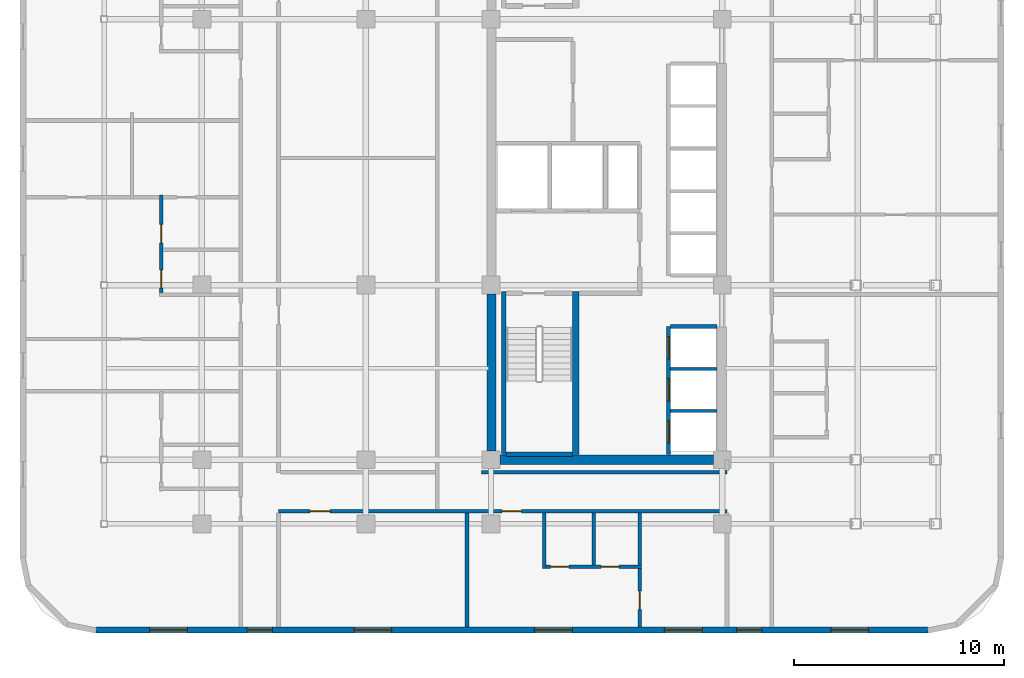
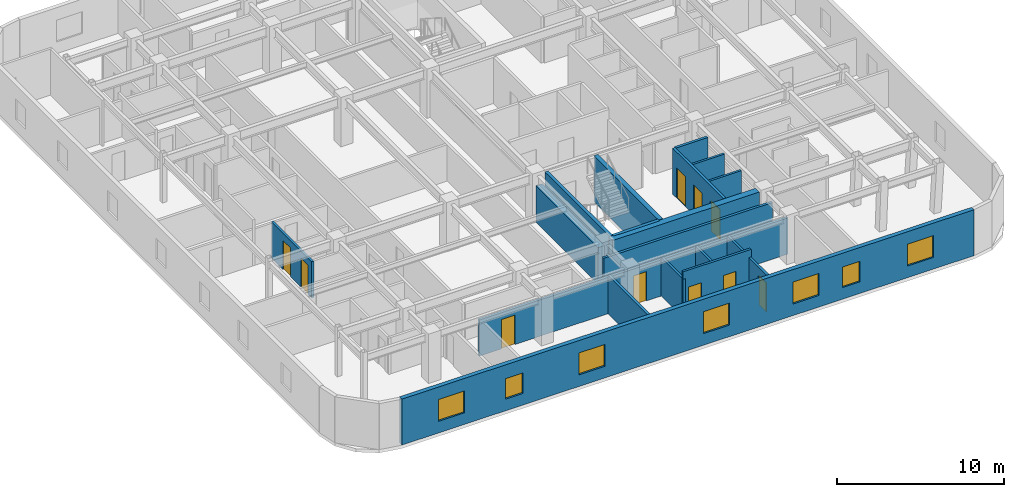
# One storey, part 6 of 12: 18 walls, 10 doors, 7 windows, 17 openings.
"""IFC4 building model written with IfcOpenShell, lengths in metres."""

import ifcopenshell
import ifcopenshell.guid

model = None  # the IFC model being written
_history = None  # IfcOwnerHistory: only IFC2X3 demands one
_inside = {}  # id of a spatial element -> (the spatial element, [elements in it])
_under = {}  # id of a project, library or spatial element -> (it, [spatial elements below it])
_declared = {}  # id of a project -> (the project, [libraries it declares])
_typed = {}  # id of a type object -> (the type object, [elements of that type])
_made_of = {}  # id of a material, layer set ... -> (it, [elements and type objects made of it])


def new_model(schema):
    """Start an empty IFC model of exactly this schema.

    Asked for "IFC4X3", IfcOpenShell would pick the latest addendum, in which some entities
    have other attributes; the version numbers below select the first issue.
    IFC2X3 requires an IfcOwnerHistory on every rooted entity: one is made here for all.
    """
    global model, _history
    if schema == "IFC4X3":
        model = ifcopenshell.file(schema_version=(4, 3, 0, 0))
    else:
        model = ifcopenshell.file(schema=schema)
    _inside.clear()
    _under.clear()
    _declared.clear()
    _typed.clear()
    _made_of.clear()
    _history = None
    if model.schema == "IFC2X3":
        org = make("IfcOrganization", Name="unknown")
        user = make(
            "IfcPersonAndOrganization",
            ThePerson=make("IfcPerson", FamilyName="unknown"),
            TheOrganization=org,
        )
        app = make(
            "IfcApplication",
            ApplicationDeveloper=org,
            Version="unknown",
            ApplicationFullName="unknown",
            ApplicationIdentifier="unknown",
        )
        _history = make(
            "IfcOwnerHistory",
            OwningUser=user,
            OwningApplication=app,
            ChangeAction="ADDED",
            CreationDate=0,
        )
    return model


def make(cls, **values):
    """One entity of the class cls with the attributes given. An attribute that is None is left unset."""
    return model.create_entity(
        cls, **{name: value for name, value in values.items() if value is not None}
    )


def rooted(cls, **values):
    """An entity with a GlobalId (a new one), such as an element, a storey or a relation."""
    return make(cls, GlobalId=ifcopenshell.guid.new(), OwnerHistory=_history, **values)


def si_unit(unit_type, name, prefix=None):
    """IfcSIUnit, for example si_unit("LENGTHUNIT", "METRE", prefix="MILLI")."""
    return make("IfcSIUnit", UnitType=unit_type, Prefix=prefix, Name=name)


def assignment(units):
    """IfcUnitAssignment: the units of a project."""
    return None if units is None else make("IfcUnitAssignment", Units=units)


def point(xyz):
    """IfcCartesianPoint."""
    return None if xyz is None else make("IfcCartesianPoint", Coordinates=xyz)


def direction(xyz):
    """IfcDirection."""
    return None if xyz is None else make("IfcDirection", DirectionRatios=xyz)


def frame(location, z_axis=None, x_axis=None):
    """IfcAxis2Placement3D, a coordinate frame: its origin and axes. An axis left out is left unset."""
    return make(
        "IfcAxis2Placement3D",
        Location=point(location),
        Axis=direction(z_axis),
        RefDirection=direction(x_axis),
    )


def frame_2d(location, x_axis=None):
    """IfcAxis2Placement2D, a coordinate frame in the plane: its origin and x axis."""
    return make(
        "IfcAxis2Placement2D", Location=point(location), RefDirection=direction(x_axis)
    )


def origin():
    """The frame at (0, 0, 0) with its axes left unset."""
    return frame((0.0, 0.0, 0.0))


def place(relative_to, where):
    """IfcLocalPlacement: puts the frame where relative to a parent placement (None: the world)."""
    return make(
        "IfcLocalPlacement", PlacementRelTo=relative_to, RelativePlacement=where
    )


def context(
    kind, dimensions, precision=None, world=None, true_north=None, identifier=None
):
    """IfcGeometricRepresentationContext, for example the 3D "Model" context."""
    return make(
        "IfcGeometricRepresentationContext",
        ContextIdentifier=identifier,
        ContextType=kind,
        CoordinateSpaceDimension=dimensions,
        Precision=precision,
        WorldCoordinateSystem=world,
        TrueNorth=true_north,
    )


def subcontext(parent, identifier, kind, view, scale=None):
    """IfcGeometricRepresentationSubContext, for example "Body" below "Model"."""
    return make(
        "IfcGeometricRepresentationSubContext",
        ContextIdentifier=identifier,
        ContextType=kind,
        ParentContext=parent,
        TargetScale=scale,
        TargetView=view,
    )


def project(units=None, contexts=None):
    """IfcProject with its units and contexts."""
    return rooted(
        "IfcProject",
        Name="project",
        RepresentationContexts=contexts,
        UnitsInContext=assignment(units),
    )


def spatial(cls, under=None, at=None, **own):
    """A site, building, storey or space (cls), placed at a placement, below another one or the project."""
    s = rooted(cls, ObjectPlacement=at, **own)
    if under is not None:
        _under.setdefault(under.id(), (under, []))[1].append(s)
    return s


def profile(cls, at=None, kind="AREA", **sizes):
    """A parametric profile (cls). Its sizes go by their IFC names, for example OverallWidth=200.0."""
    return make(cls, ProfileType=kind, Position=at, **sizes)


def rectangle(**sizes):
    """IfcRectangleProfileDef."""
    return profile("IfcRectangleProfileDef", **sizes)


def extrude(swept, where, along, depth):
    """IfcExtrudedAreaSolid: the profile swept, set in the frame where, extruded along a direction by depth."""
    return make(
        "IfcExtrudedAreaSolid",
        SweptArea=swept,
        Position=where,
        ExtrudedDirection=direction(along),
        Depth=depth,
    )


def shape(context_of_items, identifier, shape_type, items):
    """IfcShapeRepresentation: the items that make up one representation, for example the "Body"."""
    return make(
        "IfcShapeRepresentation",
        ContextOfItems=context_of_items,
        RepresentationIdentifier=identifier,
        RepresentationType=shape_type,
        Items=items,
    )


def material(Name=None, Category=None):
    """IfcMaterial."""
    return make("IfcMaterial", Name=Name, Category=Category)


def layer(
    of_material, thickness, ventilated=None, Name=None, Category=None, Priority=None
):
    """IfcMaterialLayer: one layer of a wall or slab, of a material (None: an air gap)."""
    return make(
        "IfcMaterialLayer",
        Material=of_material,
        LayerThickness=thickness,
        IsVentilated=ventilated,
        Name=Name,
        Category=Category,
        Priority=Priority,
    )


def layer_set(layers, Name=None):
    """IfcMaterialLayerSet."""
    return make("IfcMaterialLayerSet", MaterialLayers=layers, LayerSetName=Name)


def made_of(thing, what):
    """Note that an element or type object is made of a material, layer set ...; save() writes the relation."""
    if what is not None:
        _made_of.setdefault(what.id(), (what, []))[1].append(thing)
    return thing


def type_object(cls, material=None, **own):
    """A type object (cls), such as IfcWallType, which elements share."""
    return made_of(rooted(cls, **own), material)


def element(
    cls,
    number,
    at=None,
    inside=None,
    cuts=None,
    type_object=None,
    material=None,
    context=None,
    identifier="Body",
    shape_type=None,
    held_by="IfcProductDefinitionShape",
    body=None,
    shapes=None,
    **own,
):
    """One element of the class cls, such as IfcWall. Its Tag is "e" and its number.

    at: its placement. inside: the storey or other place that contains it. cuts: it is an
    opening in that element (IfcRelVoidsElement). A single representation is given by context,
    identifier, shape_type and body (its items); several are given by shapes. held_by: the class
    of the entity that holds the representations. save() writes the other relations.
    """
    e = rooted(cls, Tag="e%d" % number, ObjectPlacement=at, **own)
    if body is not None:
        shapes = [shape(context, identifier, shape_type, body)]
    if shapes is not None:
        e.Representation = make(held_by, Representations=shapes)
    if inside is not None:
        _inside.setdefault(inside.id(), (inside, []))[1].append(e)
    if cuts is not None:
        rooted(
            "IfcRelVoidsElement", RelatingBuildingElement=cuts, RelatedOpeningElement=e
        )
    if type_object is not None:
        _typed.setdefault(type_object.id(), (type_object, []))[1].append(e)
    return made_of(e, material)


def fill(opening, filler):
    """IfcRelFillsElement: the door or window that sits in an opening."""
    return rooted(
        "IfcRelFillsElement",
        RelatingOpeningElement=opening,
        RelatedBuildingElement=filler,
    )


def aggregate(whole, parts):
    """IfcRelAggregates: a whole, such as a stair, and the parts it consists of."""
    return rooted("IfcRelAggregates", RelatingObject=whole, RelatedObjects=parts)


def save(model, path):
    """Write the relations noted so far, then the file.

    IfcRelAggregates (storeys below a building ...), IfcRelContainedInSpatialStructure (elements
    in a storey), IfcRelDefinesByType, IfcRelAssociatesMaterial and IfcRelDeclares: one each for
    every whole, place, type object, material and project.
    """
    for whole, parts in _under.values():
        aggregate(whole, parts)
    for where, things in _inside.values():
        rooted(
            "IfcRelContainedInSpatialStructure",
            RelatedElements=things,
            RelatingStructure=where,
        )
    for kind, things in _typed.values():
        rooted("IfcRelDefinesByType", RelatedObjects=things, RelatingType=kind)
    for what, things in _made_of.values():
        rooted("IfcRelAssociatesMaterial", RelatedObjects=things, RelatingMaterial=what)
    for by, libraries in _declared.values():
        rooted("IfcRelDeclares", RelatingContext=by, RelatedDefinitions=libraries)
    model.write(path)


model = new_model("IFC4")

# Units and contexts
model_context = context("Model", 3, precision=1e-05, world=origin(), true_north=direction((0.0, 1.0)))
body_context = subcontext(model_context, "Body", "Model", "MODEL_VIEW")
ifc_project = project(units=[si_unit("LENGTHUNIT", "METRE"), si_unit("AREAUNIT", "SQUARE_METRE"), si_unit("VOLUMEUNIT", "CUBIC_METRE"), si_unit("PLANEANGLEUNIT", "RADIAN"), si_unit("MASSUNIT", "GRAM", prefix="KILO")], contexts=[model_context])

# Site, building, storey
site_placement = place(None, origin())
site = spatial("IfcSite", under=ifc_project, at=site_placement, CompositionType="ELEMENT")
building_placement = place(site_placement, origin())
building = spatial("IfcBuilding", under=site, at=building_placement, Name="Ochreholt Gables", CompositionType="ELEMENT")
storey_placement = place(building_placement, frame((0.0, 0.0, 45.60009765625)))
storey = spatial("IfcBuildingStorey", under=building, at=storey_placement, Name="L11", CompositionType="ELEMENT", Elevation=45.60009765625)

# Walls
ifc_material_1 = material(Name="Concrete 60 MPa", Category="concrete")
ifc_layer_1 = layer(ifc_material_1, 0.449951171875, Name="Concrete 60 MPa")
ifc_layer_set_1 = layer_set([ifc_layer_1], Name="Concrete 60 MPa")
wall_type_1 = type_object("IfcWallType", Name="WALL-CSW-450", PredefinedType="SHEAR", material=ifc_layer_set_1)
wall_1_placement = place(storey_placement, frame((24.22509765625, 9.675048828125, 0.0), z_axis=(0.0, 0.0, 1.0), x_axis=(0.0, 1.0, 0.0)))
element("IfcWall", 1, at=wall_1_placement, inside=storey, type_object=wall_type_1, Name="L11 Core West Shear Wall WS", PredefinedType="SHEAR", context=body_context, shape_type="SweptSolid", body=[
    extrude(rectangle(XDim=7.449951171875, YDim=0.449951171875, at=frame_2d((3.72509765625, 0.0))), origin(), (0.0, 0.0, 1.0), 2.6669921875),
])
wall_2_placement = place(storey_placement, frame((24.625, 9.25, 0.0), z_axis=(0.0, 0.0, 1.0), x_axis=(1.0, 0.0, 0.0)))
element("IfcWall", 2, at=wall_2_placement, inside=storey, type_object=wall_type_1, Name="L11 Core South Shear Wall", PredefinedType="SHEAR", context=body_context, shape_type="SweptSolid", body=[
    extrude(rectangle(XDim=10.14990234375, YDim=0.449951171875, at=frame_2d((5.074951171875, 0.0))), origin(), (0.0, 0.0, 1.0), 3.35986328125),
])

# Wall, openings, windows
ifc_material_2 = material(Name="Precast concrete 40 MPa", Category="concrete")
ifc_layer_2 = layer(ifc_material_2, 0.2900390625, Name="Precast concrete 40 MPa")
ifc_layer_set_2 = layer_set([ifc_layer_2], Name="Precast concrete 40 MPa")
wall_type_2 = type_object("IfcWallType", Name="WALL-EXT-290", PredefinedType="SOLIDWALL", material=ifc_layer_set_2)
wall_3_placement = place(storey_placement, frame((5.419921875, 1.14501953125, 0.0), z_axis=(0.0, 0.0, 1.0), x_axis=(1.0, 0.0, 0.0)))
wall_3 = element("IfcWall", 3, at=wall_3_placement, inside=storey, type_object=wall_type_2, Name="L11 South Exterior Wall", PredefinedType="SOLIDWALL", context=body_context, shape_type="SweptSolid", body=[
    extrude(rectangle(XDim=39.56005859375, YDim=0.2900390625, at=frame_2d((19.780029296875, 0.0))), origin(), (0.0, 0.0, 1.0), 3.35986328125),
])
opening_1_placement = place(wall_3_placement, frame((2.5400390625, 0.0, 0.85009765625)))
opening_1 = element("IfcOpeningElement", 4, at=opening_1_placement, cuts=wall_3, Name="Opening WN-1", PredefinedType="OPENING", context=body_context, shape_type="SweptSolid", body=[
    extrude(rectangle(XDim=1.800048828125, YDim=1.60009765625, at=frame_2d((0.89990234375, 0.800048828125))), frame((0.0, 0.155029296875, 0.0), z_axis=(0.0, -1.0, 0.0), x_axis=(1.0, 0.0, 0.0)), (0.0, 0.0, 1.0), 0.31005859375),
])
opening_2_placement = place(wall_3_placement, frame((7.179931640625, 0.0, 0.85009765625)))
opening_2 = element("IfcOpeningElement", 5, at=opening_2_placement, cuts=wall_3, Name="Opening WN-3", PredefinedType="OPENING", context=body_context, shape_type="SweptSolid", body=[
    extrude(rectangle(XDim=1.199951171875, YDim=1.5, at=frame_2d((0.60009765625, 0.75))), frame((0.0, 0.155029296875, 0.0), z_axis=(0.0, -1.0, 0.0), x_axis=(1.0, 0.0, 0.0)), (0.0, 0.0, 1.0), 0.31005859375),
])
opening_3_placement = place(wall_3_placement, frame((12.257080078125, 0.0, 0.85009765625)))
opening_3 = element("IfcOpeningElement", 6, at=opening_3_placement, cuts=wall_3, Name="Opening WN-1", PredefinedType="OPENING", context=body_context, shape_type="SweptSolid", body=[
    extrude(rectangle(XDim=1.800048828125, YDim=1.60009765625, at=frame_2d((0.89990234375, 0.800048828125))), frame((0.0, 0.155029296875, 0.0), z_axis=(0.0, -1.0, 0.0), x_axis=(1.0, 0.0, 0.0)), (0.0, 0.0, 1.0), 0.31005859375),
])
opening_4_placement = place(wall_3_placement, frame((20.84716796875, 0.0, 0.85009765625)))
opening_4 = element("IfcOpeningElement", 7, at=opening_4_placement, cuts=wall_3, Name="Opening WN-1", PredefinedType="OPENING", context=body_context, shape_type="SweptSolid", body=[
    extrude(rectangle(XDim=1.800048828125, YDim=1.60009765625, at=frame_2d((0.89990234375, 0.800048828125))), frame((0.0, 0.155029296875, 0.0), z_axis=(0.0, -1.0, 0.0), x_axis=(1.0, 0.0, 0.0)), (0.0, 0.0, 1.0), 0.31005859375),
])
opening_5_placement = place(wall_3_placement, frame((27.030029296875, 0.0, 0.85009765625)))
opening_5 = element("IfcOpeningElement", 8, at=opening_5_placement, cuts=wall_3, Name="Opening WN-1", PredefinedType="OPENING", context=body_context, shape_type="SweptSolid", body=[
    extrude(rectangle(XDim=1.800048828125, YDim=1.60009765625, at=frame_2d((0.89990234375, 0.800048828125))), frame((0.0, 0.155029296875, 0.0), z_axis=(0.0, -1.0, 0.0), x_axis=(1.0, 0.0, 0.0)), (0.0, 0.0, 1.0), 0.31005859375),
])
opening_6_placement = place(wall_3_placement, frame((30.465087890625, 0.0, 0.85009765625)))
opening_6 = element("IfcOpeningElement", 9, at=opening_6_placement, cuts=wall_3, Name="Opening WN-3", PredefinedType="OPENING", context=body_context, shape_type="SweptSolid", body=[
    extrude(rectangle(XDim=1.199951171875, YDim=1.5, at=frame_2d((0.60009765625, 0.75))), frame((0.0, 0.155029296875, 0.0), z_axis=(0.0, -1.0, 0.0), x_axis=(1.0, 0.0, 0.0)), (0.0, 0.0, 1.0), 0.31005859375),
])
opening_7_placement = place(wall_3_placement, frame((34.945068359375, 0.0, 0.85009765625)))
opening_7 = element("IfcOpeningElement", 10, at=opening_7_placement, cuts=wall_3, Name="Opening WN-1", PredefinedType="OPENING", context=body_context, shape_type="SweptSolid", body=[
    extrude(rectangle(XDim=1.800048828125, YDim=1.60009765625, at=frame_2d((0.89990234375, 0.800048828125))), frame((0.0, 0.155029296875, 0.0), z_axis=(0.0, -1.0, 0.0), x_axis=(1.0, 0.0, 0.0)), (0.0, 0.0, 1.0), 0.31005859375),
])
ifc_material_3 = material(Name="Triple-Glazed Thermally Broken Aluminium Window", Category="aluminium")
window_type_1 = type_object("IfcWindowType", Name="WIN-RES-1200", PartitioningType="SINGLE_PANEL", PredefinedType="WINDOW", material=ifc_material_3)
window_1_placement = place(opening_2_placement, origin())
window_1 = element("IfcWindow", 11, at=window_1_placement, inside=storey, type_object=window_type_1, Name="L11 Window W-EXT-S-L11-2", OverallHeight=1.5, OverallWidth=1.199951171875, PartitioningType="SINGLE_PANEL", PredefinedType="WINDOW", context=body_context, shape_type="SweptSolid", body=[
    extrude(rectangle(XDim=1.199951171875, YDim=1.5, at=frame_2d((0.60009765625, 0.75))), frame((0.0, 0.030029296875, 0.0), z_axis=(0.0, -1.0, 0.0), x_axis=(1.0, 0.0, 0.0)), (0.0, 0.0, 1.0), 0.06005859375),
])
fill(opening_2, window_1)
window_2_placement = place(opening_6_placement, origin())
window_2 = element("IfcWindow", 12, at=window_2_placement, inside=storey, type_object=window_type_1, Name="L11 Window W-EXT-S-L11-6", OverallHeight=1.5, OverallWidth=1.199951171875, PartitioningType="SINGLE_PANEL", PredefinedType="WINDOW", context=body_context, shape_type="SweptSolid", body=[
    extrude(rectangle(XDim=1.199951171875, YDim=1.5, at=frame_2d((0.60009765625, 0.75))), frame((0.0, 0.030029296875, 0.0), z_axis=(0.0, -1.0, 0.0), x_axis=(1.0, 0.0, 0.0)), (0.0, 0.0, 1.0), 0.06005859375),
])
fill(opening_6, window_2)
window_type_2 = type_object("IfcWindowType", Name="WIN-RES-1800", PartitioningType="SINGLE_PANEL", PredefinedType="WINDOW", material=ifc_material_3)
window_3_placement = place(opening_1_placement, origin())
window_3 = element("IfcWindow", 13, at=window_3_placement, inside=storey, type_object=window_type_2, Name="L11 Window W-EXT-S-L11-1", OverallHeight=1.60009765625, OverallWidth=1.800048828125, PartitioningType="SINGLE_PANEL", PredefinedType="WINDOW", context=body_context, shape_type="SweptSolid", body=[
    extrude(rectangle(XDim=1.800048828125, YDim=1.60009765625, at=frame_2d((0.89990234375, 0.800048828125))), frame((0.0, 0.030029296875, 0.0), z_axis=(0.0, -1.0, 0.0), x_axis=(1.0, 0.0, 0.0)), (0.0, 0.0, 1.0), 0.06005859375),
])
fill(opening_1, window_3)
window_4_placement = place(opening_3_placement, origin())
window_4 = element("IfcWindow", 14, at=window_4_placement, inside=storey, type_object=window_type_2, Name="L11 Window W-EXT-S-L11-3", OverallHeight=1.60009765625, OverallWidth=1.800048828125, PartitioningType="SINGLE_PANEL", PredefinedType="WINDOW", context=body_context, shape_type="SweptSolid", body=[
    extrude(rectangle(XDim=1.800048828125, YDim=1.60009765625, at=frame_2d((0.89990234375, 0.800048828125))), frame((0.0, 0.030029296875, 0.0), z_axis=(0.0, -1.0, 0.0), x_axis=(1.0, 0.0, 0.0)), (0.0, 0.0, 1.0), 0.06005859375),
])
fill(opening_3, window_4)
window_5_placement = place(opening_4_placement, origin())
window_5 = element("IfcWindow", 15, at=window_5_placement, inside=storey, type_object=window_type_2, Name="L11 Window W-EXT-S-L11-4", OverallHeight=1.60009765625, OverallWidth=1.800048828125, PartitioningType="SINGLE_PANEL", PredefinedType="WINDOW", context=body_context, shape_type="SweptSolid", body=[
    extrude(rectangle(XDim=1.800048828125, YDim=1.60009765625, at=frame_2d((0.89990234375, 0.800048828125))), frame((0.0, 0.030029296875, 0.0), z_axis=(0.0, -1.0, 0.0), x_axis=(1.0, 0.0, 0.0)), (0.0, 0.0, 1.0), 0.06005859375),
])
fill(opening_4, window_5)
window_6_placement = place(opening_5_placement, origin())
window_6 = element("IfcWindow", 16, at=window_6_placement, inside=storey, type_object=window_type_2, Name="L11 Window W-EXT-S-L11-5", OverallHeight=1.60009765625, OverallWidth=1.800048828125, PartitioningType="SINGLE_PANEL", PredefinedType="WINDOW", context=body_context, shape_type="SweptSolid", body=[
    extrude(rectangle(XDim=1.800048828125, YDim=1.60009765625, at=frame_2d((0.89990234375, 0.800048828125))), frame((0.0, 0.030029296875, 0.0), z_axis=(0.0, -1.0, 0.0), x_axis=(1.0, 0.0, 0.0)), (0.0, 0.0, 1.0), 0.06005859375),
])
fill(opening_5, window_6)
window_7_placement = place(opening_7_placement, origin())
window_7 = element("IfcWindow", 17, at=window_7_placement, inside=storey, type_object=window_type_2, Name="L11 Window W-EXT-S-L11-7", OverallHeight=1.60009765625, OverallWidth=1.800048828125, PartitioningType="SINGLE_PANEL", PredefinedType="WINDOW", context=body_context, shape_type="SweptSolid", body=[
    extrude(rectangle(XDim=1.800048828125, YDim=1.60009765625, at=frame_2d((0.89990234375, 0.800048828125))), frame((0.0, 0.030029296875, 0.0), z_axis=(0.0, -1.0, 0.0), x_axis=(1.0, 0.0, 0.0)), (0.0, 0.0, 1.0), 0.06005859375),
])
fill(opening_7, window_7)

# Wall, openings, doors
ifc_material_4 = material(Name="Fire-Rated Gypsum Acoustic Partition", Category="gypsum")
ifc_layer_3 = layer(ifc_material_4, 0.179931640625, Name="Fire-Rated Gypsum Acoustic Partition")
ifc_layer_set_3 = layer_set([ifc_layer_3], Name="Fire-Rated Gypsum Acoustic Partition")
wall_type_3 = type_object("IfcWallType", Name="WALL-INT-CR180", PredefinedType="STANDARD", material=ifc_layer_set_3)
wall_4_placement = place(storey_placement, frame((14.10009765625, 6.800048828125, 0.0), z_axis=(0.0, 0.0, 1.0), x_axis=(1.0, 0.0, 0.0)))
wall_4 = element("IfcWall", 18, at=wall_4_placement, inside=storey, type_object=wall_type_3, Name="L11 Interior Wall WI-C1S-L11", PredefinedType="STANDARD", context=body_context, shape_type="SweptSolid", body=[
    extrude(rectangle(XDim=21.31982421875, YDim=0.179931640625, at=frame_2d((10.659912109375, 0.0))), origin(), (0.0, 0.0, 1.0), 2.64892578125),
])
opening_8_placement = place(wall_4_placement, frame((1.5, 0.0, 0.0)))
opening_8 = element("IfcOpeningElement", 19, at=opening_8_placement, cuts=wall_4, Name="Opening D-GN1", PredefinedType="OPENING", context=body_context, shape_type="SweptSolid", body=[
    extrude(rectangle(XDim=0.949951171875, YDim=2.14990234375, at=frame_2d((0.47509765625, 1.074951171875))), frame((0.0, 0.099853515625, 0.0), z_axis=(0.0, -1.0, 0.0), x_axis=(1.0, 0.0, 0.0)), (0.0, 0.0, 1.0), 0.199951171875),
])
opening_9_placement = place(wall_4_placement, frame((10.62451171875, 0.0, 0.0)))
opening_9 = element("IfcOpeningElement", 20, at=opening_9_placement, cuts=wall_4, Name="Opening D-UN1", PredefinedType="OPENING", context=body_context, shape_type="SweptSolid", body=[
    extrude(rectangle(XDim=0.919921875, YDim=2.14990234375, at=frame_2d((0.4599609375, 1.074951171875))), frame((0.0, 0.099853515625, 0.0), z_axis=(0.0, -1.0, 0.0), x_axis=(1.0, 0.0, 0.0)), (0.0, 0.0, 1.0), 0.199951171875),
])
ifc_material_5 = material(Name="Engineered Oak Timber", Category="wood")
door_type_1 = type_object("IfcDoorType", Name="DR-INT-GEN950", OperationType="NOTDEFINED", PredefinedType="DOOR", material=ifc_material_5)
door_1_placement = place(opening_8_placement, origin())
door_1 = element("IfcDoor", 21, at=door_1_placement, inside=storey, type_object=door_type_1, Name="L11 Door D-C1SS-L11", OperationType="SINGLE_SWING_LEFT", OverallHeight=2.14990234375, OverallWidth=0.949951171875, PredefinedType="DOOR", context=body_context, shape_type="SweptSolid", body=[
    extrude(rectangle(XDim=0.949951171875, YDim=2.14990234375, at=frame_2d((0.47509765625, 1.074951171875))), frame((0.0, 0.02490234375, 0.0), z_axis=(0.0, -1.0, 0.0), x_axis=(1.0, 0.0, 0.0)), (0.0, 0.0, 1.0), 0.050048828125),
])
fill(opening_8, door_1)
door_type_2 = type_object("IfcDoorType", Name="DR-INT-UNT920", OperationType="NOTDEFINED", PredefinedType="DOOR", material=ifc_material_5)
door_2_placement = place(opening_9_placement, origin())
door_2 = element("IfcDoor", 22, at=door_2_placement, inside=storey, type_object=door_type_2, Name="L11 Door D-U-L11S1-ENT", OperationType="SINGLE_SWING_RIGHT", OverallHeight=2.14990234375, OverallWidth=0.919921875, PredefinedType="DOOR", context=body_context, shape_type="SweptSolid", body=[
    extrude(rectangle(XDim=0.919921875, YDim=2.14990234375, at=frame_2d((0.4599609375, 1.074951171875))), frame((0.0, 0.02490234375, 0.0), z_axis=(0.0, -1.0, 0.0), x_axis=(1.0, 0.0, 0.0)), (0.0, 0.0, 1.0), 0.050048828125),
])
fill(opening_9, door_2)

# Walls
wall_5_placement = place(storey_placement, frame((23.75, 8.64990234375, 0.0), z_axis=(0.0, 0.0, 1.0), x_axis=(1.0, 0.0, 0.0)))
element("IfcWall", 23, at=wall_5_placement, inside=storey, type_object=wall_type_3, Name="L11 Interior Wall WI-C1S2-L11", PredefinedType="STANDARD", context=body_context, shape_type="SweptSolid", body=[
    extrude(rectangle(XDim=11.669921875, YDim=0.179931640625, at=frame_2d((5.8349609375, 0.0))), origin(), (0.0, 0.0, 1.0), 2.64892578125),
])
ifc_material_6 = material(Name="Double-Stud Acoustic Demising Wall", Category="gypsum")
ifc_layer_4 = layer(ifc_material_6, 0.179931640625, Name="Double-Stud Acoustic Demising Wall")
ifc_layer_set_4 = layer_set([ifc_layer_4], Name="Double-Stud Acoustic Demising Wall")
wall_type_4 = type_object("IfcWallType", Name="WALL-INT-DM180", PredefinedType="PARTITIONING", material=ifc_layer_set_4)
wall_6_placement = place(storey_placement, frame((23.054443359375, 1.2900390625, 0.0), z_axis=(0.0, 0.0, 1.0), x_axis=(0.0, 1.0, 0.0)))
element("IfcWall", 24, at=wall_6_placement, inside=storey, type_object=wall_type_4, Name="L11 Interior Wall WI-UDS1-L11", PredefinedType="PARTITIONING", context=body_context, shape_type="SweptSolid", body=[
    extrude(rectangle(XDim=5.419921875, YDim=0.179931640625, at=frame_2d((2.7099609375, 0.0))), origin(), (0.0, 0.0, 1.0), 2.808837890625),
])

# Wall, openings, doors
ifc_material_7 = material(Name="Moisture-Resistant Plumbing Chase Wall", Category="gypsum")
ifc_layer_5 = layer(ifc_material_7, 0.159912109375, Name="Moisture-Resistant Plumbing Chase Wall")
ifc_layer_set_5 = layer_set([ifc_layer_5], Name="Moisture-Resistant Plumbing Chase Wall")
wall_type_5 = type_object("IfcWallType", Name="WALL-INT-PL160", PredefinedType="PLUMBINGWALL", material=ifc_layer_set_5)
wall_7_placement = place(storey_placement, frame((8.510009765625, 17.0, 0.0), z_axis=(0.0, 0.0, 1.0), x_axis=(0.0, 1.0, 0.0)))
wall_7 = element("IfcWall", 25, at=wall_7_placement, inside=storey, type_object=wall_type_5, Name="L11 Interior Wall WU-L11W2-WX", PredefinedType="PLUMBINGWALL", context=body_context, shape_type="SweptSolid", body=[
    extrude(rectangle(XDim=4.830078125, YDim=0.159912109375, at=frame_2d((2.4150390625, 0.0))), origin(), (0.0, 0.0, 1.0), 2.64892578125),
])
opening_10_placement = place(wall_7_placement, frame((0.419921875, 0.0, 0.0)))
opening_10 = element("IfcOpeningElement", 26, at=opening_10_placement, cuts=wall_7, Name="Opening D-BT1", PredefinedType="OPENING", context=body_context, shape_type="SweptSolid", body=[
    extrude(rectangle(XDim=0.860107421875, YDim=2.1201171875, at=frame_2d((0.43017578125, 1.06005859375))), frame((0.0, 0.08984375, 0.0), z_axis=(0.0, -1.0, 0.0), x_axis=(1.0, 0.0, 0.0)), (0.0, 0.0, 1.0), 0.179931640625),
])
opening_11_placement = place(wall_7_placement, frame((2.55908203125, 0.0, 0.0)))
opening_11 = element("IfcOpeningElement", 27, at=opening_11_placement, cuts=wall_7, Name="Opening D-GN2", PredefinedType="OPENING", context=body_context, shape_type="SweptSolid", body=[
    extrude(rectangle(XDim=0.8798828125, YDim=2.1201171875, at=frame_2d((0.43994140625, 1.06005859375))), frame((0.0, 0.08984375, 0.0), z_axis=(0.0, -1.0, 0.0), x_axis=(1.0, 0.0, 0.0)), (0.0, 0.0, 1.0), 0.179931640625),
])
door_type_3 = type_object("IfcDoorType", Name="DR-INT-BTH860", OperationType="NOTDEFINED", PredefinedType="DOOR", material=ifc_material_5)
door_3_placement = place(opening_10_placement, origin())
door_3 = element("IfcDoor", 28, at=door_3_placement, inside=storey, type_object=door_type_3, Name="L11 Door D-U-L11W2-BTH", OperationType="SINGLE_SWING_LEFT", OverallHeight=2.1201171875, OverallWidth=0.860107421875, PredefinedType="DOOR", context=body_context, shape_type="SweptSolid", body=[
    extrude(rectangle(XDim=0.860107421875, YDim=2.1201171875, at=frame_2d((0.43017578125, 1.06005859375))), frame((0.0, 0.02490234375, 0.0), z_axis=(0.0, -1.0, 0.0), x_axis=(1.0, 0.0, 0.0)), (0.0, 0.0, 1.0), 0.050048828125),
])
fill(opening_10, door_3)
door_type_4 = type_object("IfcDoorType", Name="DR-INT-GEN880", OperationType="NOTDEFINED", PredefinedType="DOOR", material=ifc_material_5)
door_4_placement = place(opening_11_placement, origin())
door_4 = element("IfcDoor", 29, at=door_4_placement, inside=storey, type_object=door_type_4, Name="L11 Door D-U-L11W2-KIT", OperationType="SINGLE_SWING_RIGHT", OverallHeight=2.1201171875, OverallWidth=0.8798828125, PredefinedType="DOOR", context=body_context, shape_type="SweptSolid", body=[
    extrude(rectangle(XDim=0.8798828125, YDim=2.1201171875, at=frame_2d((0.43994140625, 1.06005859375))), frame((0.0, 0.02490234375, 0.0), z_axis=(0.0, -1.0, 0.0), x_axis=(1.0, 0.0, 0.0)), (0.0, 0.0, 1.0), 0.050048828125),
])
fill(opening_11, door_4)

wall_8_placement = place(storey_placement, frame((26.64990234375, 4.1650390625, 0.0), z_axis=(0.0, 0.0, 1.0), x_axis=(1.0, 0.0, 0.0)))
wall_8 = element("IfcWall", 30, at=wall_8_placement, inside=storey, type_object=wall_type_5, Name="L11 Interior Wall WU-L11S1-WY", PredefinedType="PLUMBINGWALL", context=body_context, shape_type="SweptSolid", body=[
    extrude(rectangle(XDim=4.710205078125, YDim=0.159912109375, at=frame_2d((2.35498046875, 0.0))), origin(), (0.0, 0.0, 1.0), 3.35986328125),
])
opening_12_placement = place(wall_8_placement, frame((0.3798828125, 0.0, 0.0)))
opening_12 = element("IfcOpeningElement", 31, at=opening_12_placement, cuts=wall_8, Name="Opening D-GN2", PredefinedType="OPENING", context=body_context, shape_type="SweptSolid", body=[
    extrude(rectangle(XDim=0.8798828125, YDim=2.1201171875, at=frame_2d((0.43994140625, 1.06005859375))), frame((0.0, 0.08984375, 0.0), z_axis=(0.0, -1.0, 0.0), x_axis=(1.0, 0.0, 0.0)), (0.0, 0.0, 1.0), 0.179931640625),
])
opening_13_placement = place(wall_8_placement, frame((2.785888671875, 0.0, 0.0)))
opening_13 = element("IfcOpeningElement", 32, at=opening_13_placement, cuts=wall_8, Name="Opening D-BT1", PredefinedType="OPENING", context=body_context, shape_type="SweptSolid", body=[
    extrude(rectangle(XDim=0.860107421875, YDim=2.1201171875, at=frame_2d((0.43017578125, 1.06005859375))), frame((0.0, 0.08984375, 0.0), z_axis=(0.0, -1.0, 0.0), x_axis=(1.0, 0.0, 0.0)), (0.0, 0.0, 1.0), 0.179931640625),
])
door_5_placement = place(opening_13_placement, origin())
door_5 = element("IfcDoor", 33, at=door_5_placement, inside=storey, type_object=door_type_3, Name="L11 Door D-U-L11S1-BTH", OperationType="SINGLE_SWING_RIGHT", OverallHeight=2.1201171875, OverallWidth=0.860107421875, PredefinedType="DOOR", context=body_context, shape_type="SweptSolid", body=[
    extrude(rectangle(XDim=0.860107421875, YDim=2.1201171875, at=frame_2d((0.43017578125, 1.06005859375))), frame((0.0, 0.02490234375, 0.0), z_axis=(0.0, -1.0, 0.0), x_axis=(1.0, 0.0, 0.0)), (0.0, 0.0, 1.0), 0.050048828125),
])
fill(opening_13, door_5)
door_6_placement = place(opening_12_placement, origin())
door_6 = element("IfcDoor", 34, at=door_6_placement, inside=storey, type_object=door_type_4, Name="L11 Door D-U-L11S1-KIT", OperationType="SINGLE_SWING_LEFT", OverallHeight=2.1201171875, OverallWidth=0.8798828125, PredefinedType="DOOR", context=body_context, shape_type="SweptSolid", body=[
    extrude(rectangle(XDim=0.8798828125, YDim=2.1201171875, at=frame_2d((0.43994140625, 1.06005859375))), frame((0.0, 0.02490234375, 0.0), z_axis=(0.0, -1.0, 0.0), x_axis=(1.0, 0.0, 0.0)), (0.0, 0.0, 1.0), 0.050048828125),
])
fill(opening_12, door_6)

# Walls
wall_9_placement = place(storey_placement, frame((26.72998046875, 4.0849609375, 0.0), z_axis=(0.0, 0.0, 1.0), x_axis=(0.0, 1.0, 0.0)))
element("IfcWall", 35, at=wall_9_placement, inside=storey, type_object=wall_type_5, Name="L11 Interior Wall WU-L11S1-FY", PredefinedType="PLUMBINGWALL", context=body_context, shape_type="SweptSolid", body=[
    extrude(rectangle(XDim=2.625, YDim=0.159912109375, at=frame_2d((1.3125, 0.0))), origin(), (0.0, 0.0, 1.0), 2.808837890625),
])
wall_10_placement = place(storey_placement, frame((29.095947265625, 4.2451171875, 0.0), z_axis=(0.0, 0.0, 1.0), x_axis=(0.0, 1.0, 0.0)))
element("IfcWall", 36, at=wall_10_placement, inside=storey, type_object=wall_type_5, Name="L11 Interior Wall WU-L11S1-WK", PredefinedType="PLUMBINGWALL", context=body_context, shape_type="SweptSolid", body=[
    extrude(rectangle(XDim=2.46484375, YDim=0.159912109375, at=frame_2d((1.232421875, 0.0))), origin(), (0.0, 0.0, 1.0), 2.808837890625),
])

# Wall, opening, door
ifc_material_8 = material(Name="Gypsum Acoustic Stud Partition", Category="gypsum")
ifc_layer_6 = layer(ifc_material_8, 0.159912109375, Name="Gypsum Acoustic Stud Partition")
ifc_layer_set_6 = layer_set([ifc_layer_6], Name="Gypsum Acoustic Stud Partition")
wall_type_6 = type_object("IfcWallType", Name="WALL-INT-PT160", PredefinedType="PARTITIONING", material=ifc_layer_set_6)
wall_11_placement = place(storey_placement, frame((31.280029296875, 1.2900390625, 0.0), z_axis=(0.0, 0.0, 1.0), x_axis=(0.0, 1.0, 0.0)))
wall_11 = element("IfcWall", 37, at=wall_11_placement, inside=storey, type_object=wall_type_6, Name="L11 Interior Wall WU-L11S1-MNX", PredefinedType="PARTITIONING", context=body_context, shape_type="SweptSolid", body=[
    extrude(rectangle(XDim=5.419921875, YDim=0.159912109375, at=frame_2d((2.7099609375, 0.0))), origin(), (0.0, 0.0, 1.0), 2.808837890625),
])
opening_14_placement = place(wall_11_placement, frame((0.83740234375, 0.0, 0.0)))
opening_14 = element("IfcOpeningElement", 38, at=opening_14_placement, cuts=wall_11, Name="Opening D-BD2", PredefinedType="OPENING", context=body_context, shape_type="SweptSolid", body=[
    extrude(rectangle(XDim=0.8798828125, YDim=2.139892578125, at=frame_2d((0.43994140625, 1.06982421875))), frame((0.0, 0.08984375, 0.0), z_axis=(0.0, -1.0, 0.0), x_axis=(1.0, 0.0, 0.0)), (0.0, 0.0, 1.0), 0.179931640625),
])
door_type_5 = type_object("IfcDoorType", Name="DR-INT-BED880", OperationType="NOTDEFINED", PredefinedType="DOOR", material=ifc_material_5)
door_7_placement = place(opening_14_placement, origin())
door_7 = element("IfcDoor", 39, at=door_7_placement, inside=storey, type_object=door_type_5, Name="L11 Door D-U-L11S1-BD1", OperationType="SINGLE_SWING_LEFT", OverallHeight=2.139892578125, OverallWidth=0.8798828125, PredefinedType="DOOR", context=body_context, shape_type="SweptSolid", body=[
    extrude(rectangle(XDim=0.8798828125, YDim=2.139892578125, at=frame_2d((0.43994140625, 1.06982421875))), frame((0.0, 0.02490234375, 0.0), z_axis=(0.0, -1.0, 0.0), x_axis=(1.0, 0.0, 0.0)), (0.0, 0.0, 1.0), 0.050048828125),
])
fill(opening_14, door_7)

# Walls
ifc_material_9 = material(Name="Gypsum Shaftliner and Steel Stud", Category="steel")
ifc_layer_7 = layer(ifc_material_9, 0.14990234375, Name="Gypsum Shaftliner and Steel Stud")
ifc_layer_set_7 = layer_set([ifc_layer_7], Name="Gypsum Shaftliner and Steel Stud")
wall_type_7 = type_object("IfcWallType", Name="WALL-INT-SH150", PredefinedType="STANDARD", material=ifc_layer_set_7)
for number, where, z_axis, x_axis, name in (
    (40, (32.739990234375, 11.570068359375, 0.0), (0.0, 0.0, 1.0), (1.0, 0.0, 0.0), "L11 Interior Wall WI-LFL-D1-L11"),
    (41, (32.739990234375, 13.570068359375, 0.0), (0.0, 0.0, 1.0), (1.0, 0.0, 0.0), "L11 Interior Wall WI-LFL-D2-L11"),
):
    element("IfcWall", number, at=place(storey_placement, frame(where, z_axis=z_axis, x_axis=x_axis)), inside=storey, type_object=wall_type_7, Name=name, PredefinedType="STANDARD", context=body_context, shape_type="SweptSolid", body=[
        extrude(rectangle(XDim=2.2099609375, YDim=0.14990234375, at=frame_2d((1.10498046875, 0.0))), origin(), (0.0, 0.0, 1.0), 3.35986328125),
    ])

# Wall, openings, doors
ifc_layer_8 = layer(ifc_material_9, 0.179931640625, Name="Gypsum Shaftliner and Steel Stud")
ifc_layer_set_8 = layer_set([ifc_layer_8], Name="Gypsum Shaftliner and Steel Stud")
wall_type_8 = type_object("IfcWallType", Name="WALL-INT-SH180", PredefinedType="STANDARD", material=ifc_layer_set_8)
wall_12_placement = place(storey_placement, frame((32.64990234375, 9.5, 0.0), z_axis=(0.0, 0.0, 1.0), x_axis=(0.0, 1.0, 0.0)))
wall_12 = element("IfcWall", 42, at=wall_12_placement, inside=storey, type_object=wall_type_8, Name="L11 Interior Wall WI-LFL-FR-L11", PredefinedType="STANDARD", context=body_context, shape_type="SweptSolid", body=[
    extrude(rectangle(XDim=6.080078125, YDim=0.179931640625, at=frame_2d((3.0400390625, 0.0))), origin(), (0.0, 0.0, 1.0), 3.35986328125),
])
opening_15_placement = place(wall_12_placement, frame((0.550048828125, 0.0, 0.0)))
opening_15 = element("IfcOpeningElement", 43, at=opening_15_placement, cuts=wall_12, Name="Opening LD-PX", PredefinedType="OPENING", context=body_context, shape_type="SweptSolid", body=[
    extrude(rectangle(XDim=1.050048828125, YDim=2.199951171875, at=frame_2d((0.52490234375, 1.10009765625))), frame((0.0, 0.099853515625, 0.0), z_axis=(0.0, -1.0, 0.0), x_axis=(1.0, 0.0, 0.0)), (0.0, 0.0, 1.0), 0.199951171875),
])
opening_16_placement = place(wall_12_placement, frame((2.550048828125, 0.0, 0.0)))
opening_16 = element("IfcOpeningElement", 44, at=opening_16_placement, cuts=wall_12, Name="Opening LD-PX", PredefinedType="OPENING", context=body_context, shape_type="SweptSolid", body=[
    extrude(rectangle(XDim=1.050048828125, YDim=2.199951171875, at=frame_2d((0.52490234375, 1.10009765625))), frame((0.0, 0.099853515625, 0.0), z_axis=(0.0, -1.0, 0.0), x_axis=(1.0, 0.0, 0.0)), (0.0, 0.0, 1.0), 0.199951171875),
])
opening_17_placement = place(wall_12_placement, frame((4.550048828125, 0.0, 0.0)))
opening_17 = element("IfcOpeningElement", 45, at=opening_17_placement, cuts=wall_12, Name="Opening LD-PX", PredefinedType="OPENING", context=body_context, shape_type="SweptSolid", body=[
    extrude(rectangle(XDim=1.050048828125, YDim=2.199951171875, at=frame_2d((0.52490234375, 1.10009765625))), frame((0.0, 0.099853515625, 0.0), z_axis=(0.0, -1.0, 0.0), x_axis=(1.0, 0.0, 0.0)), (0.0, 0.0, 1.0), 0.199951171875),
])
ifc_material_10 = material(Name="Stainless Steel", Category="steel")
door_type_6 = type_object("IfcDoorType", Name="DR-LFT-PX1050", OperationType="NOTDEFINED", PredefinedType="DOOR", material=ifc_material_10)
door_8_placement = place(opening_15_placement, origin())
door_8 = element("IfcDoor", 46, at=door_8_placement, inside=storey, type_object=door_type_6, Name="L11 Door LD-L1-L11", OperationType="SLIDING_TO_LEFT", OverallHeight=2.199951171875, OverallWidth=1.050048828125, PredefinedType="DOOR", context=body_context, shape_type="SweptSolid", body=[
    extrude(rectangle(XDim=1.050048828125, YDim=2.199951171875, at=frame_2d((0.52490234375, 1.10009765625))), frame((0.0, 0.02490234375, 0.0), z_axis=(0.0, -1.0, 0.0), x_axis=(1.0, 0.0, 0.0)), (0.0, 0.0, 1.0), 0.050048828125),
])
fill(opening_15, door_8)
door_9_placement = place(opening_16_placement, origin())
door_9 = element("IfcDoor", 47, at=door_9_placement, inside=storey, type_object=door_type_6, Name="L11 Door LD-L2-L11", OperationType="SLIDING_TO_LEFT", OverallHeight=2.199951171875, OverallWidth=1.050048828125, PredefinedType="DOOR", context=body_context, shape_type="SweptSolid", body=[
    extrude(rectangle(XDim=1.050048828125, YDim=2.199951171875, at=frame_2d((0.52490234375, 1.10009765625))), frame((0.0, 0.02490234375, 0.0), z_axis=(0.0, -1.0, 0.0), x_axis=(1.0, 0.0, 0.0)), (0.0, 0.0, 1.0), 0.050048828125),
])
fill(opening_16, door_9)
door_10_placement = place(opening_17_placement, origin())
door_10 = element("IfcDoor", 48, at=door_10_placement, inside=storey, type_object=door_type_6, Name="L11 Door LD-L3-L11", OperationType="SLIDING_TO_LEFT", OverallHeight=2.199951171875, OverallWidth=1.050048828125, PredefinedType="DOOR", context=body_context, shape_type="SweptSolid", body=[
    extrude(rectangle(XDim=1.050048828125, YDim=2.199951171875, at=frame_2d((0.52490234375, 1.10009765625))), frame((0.0, 0.02490234375, 0.0), z_axis=(0.0, -1.0, 0.0), x_axis=(1.0, 0.0, 0.0)), (0.0, 0.0, 1.0), 0.050048828125),
])
fill(opening_17, door_10)

# Walls
wall_13_placement = place(storey_placement, frame((32.739990234375, 15.580078125, 0.0), z_axis=(0.0, 0.0, 1.0), x_axis=(1.0, 0.0, 0.0)))
element("IfcWall", 49, at=wall_13_placement, inside=storey, type_object=wall_type_8, Name="L11 Interior Wall WI-LFL-N-L11", PredefinedType="STANDARD", context=body_context, shape_type="SweptSolid", body=[
    extrude(rectangle(XDim=2.2099609375, YDim=0.179931640625, at=frame_2d((1.10498046875, 0.0))), origin(), (0.0, 0.0, 1.0), 3.35986328125),
])
ifc_layer_9 = layer(ifc_material_1, 0.300048828125, Name="Concrete 60 MPa")
ifc_layer_set_9 = layer_set([ifc_layer_9], Name="Concrete 60 MPa")
wall_type_9 = type_object("IfcWallType", Name="WALL-SPN-300", PredefinedType="SHEAR", material=ifc_layer_set_9)
wall_14_placement = place(storey_placement, frame((28.22998046875, 9.5, 0.0), z_axis=(0.0, 0.0, 1.0), x_axis=(0.0, 1.0, 0.0)))
element("IfcWall", 50, at=wall_14_placement, inside=storey, type_object=wall_type_9, Name="L11 Core South Spine Shear Wall", PredefinedType="SHEAR", context=body_context, shape_type="SweptSolid", body=[
    extrude(rectangle(XDim=7.760009765625, YDim=0.300048828125, at=frame_2d((3.8798828125, 0.0))), origin(), (0.0, 0.0, 1.0), 3.35986328125),
])
ifc_material_11 = material(Name="Concrete 50 MPa", Category="concrete")
ifc_layer_10 = layer(ifc_material_11, 0.219970703125, Name="Concrete 50 MPa")
ifc_layer_set_10 = layer_set([ifc_layer_10], Name="Concrete 50 MPa")
wall_type_10 = type_object("IfcWallType", Name="WALL-STW-220", PredefinedType="SHEAR", material=ifc_layer_set_10)
wall_15_placement = place(storey_placement, frame((24.81005859375, 9.5, 0.0), z_axis=(0.0, 0.0, 1.0), x_axis=(0.0, 1.0, 0.0)))
element("IfcWall", 51, at=wall_15_placement, inside=storey, type_object=wall_type_10, Name="L11 Exit Stair 1 West Wall", PredefinedType="SHEAR", context=body_context, shape_type="SweptSolid", body=[
    extrude(rectangle(XDim=7.760009765625, YDim=0.219970703125, at=frame_2d((3.8798828125, 0.0))), origin(), (0.0, 0.0, 1.0), 3.35986328125),
])
wall_16_placement = place(storey_placement, frame((24.919921875, 9.510009765625, 0.0), z_axis=(0.0, 0.0, 1.0), x_axis=(1.0, 0.0, 0.0)))
element("IfcWall", 52, at=wall_16_placement, inside=storey, type_object=wall_type_10, Name="L11 Exit Stair 1 South Wall", PredefinedType="SHEAR", context=body_context, shape_type="SweptSolid", body=[
    extrude(rectangle(XDim=3.16015625, YDim=0.219970703125, at=frame_2d((1.580078125, 0.0))), origin(), (0.0, 0.0, 1.0), 3.35986328125),
])

save(model, "model.ifc")
